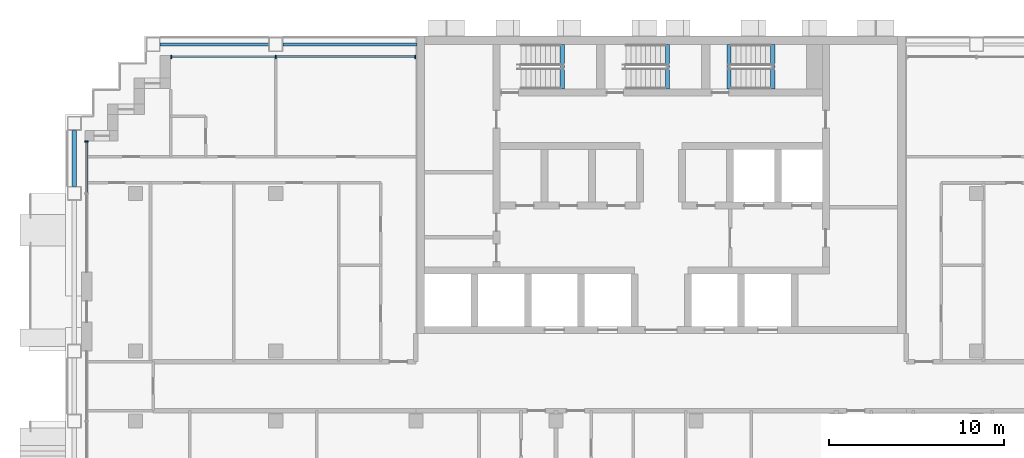
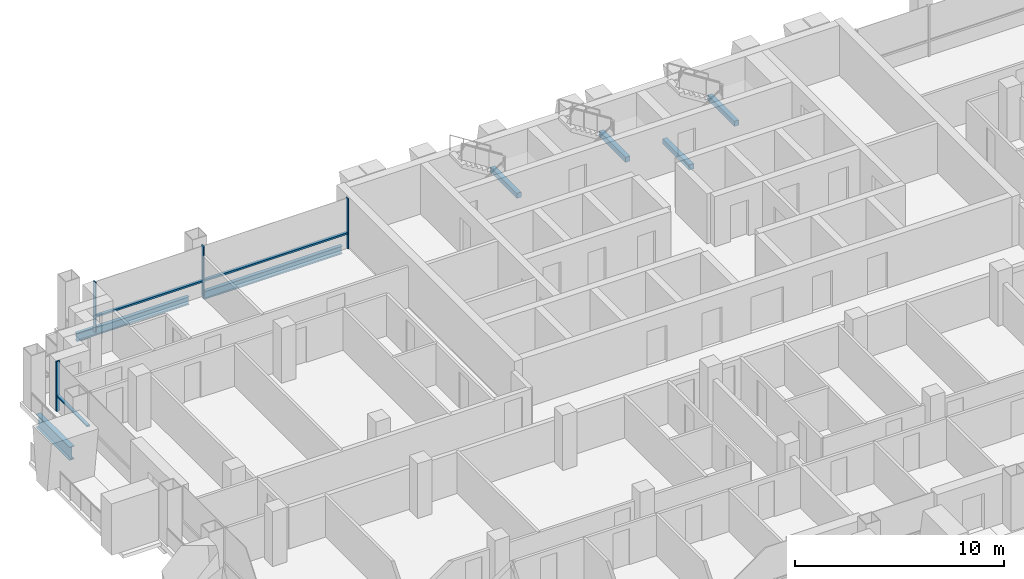
# One storey, part 4 of 16: 7 beams, 7 members, 2 elements without a shape of their own.
"""IFC4 building model written with IfcOpenShell, lengths in metres."""

from ifc_helpers import new_model, si_unit, direction, frame, origin, origin_2d, place, context, subcontext, project, spatial, rectangle, i_section, extrude, material, material_profile, profile_set, type_object, element, aggregate, save


model = new_model("IFC4")

# Units and contexts
model_context = context("Model", 3, precision=1e-05, world=origin(), true_north=direction((0.0, 1.0)))
body_context = subcontext(model_context, "Body", "Model", "MODEL_VIEW")
ifc_project = project(units=[si_unit("LENGTHUNIT", "METRE"), si_unit("AREAUNIT", "SQUARE_METRE"), si_unit("VOLUMEUNIT", "CUBIC_METRE"), si_unit("PLANEANGLEUNIT", "RADIAN"), si_unit("MASSUNIT", "GRAM", prefix="KILO")], contexts=[model_context])

# Site, building, storey
site_placement = place(None, origin())
site = spatial("IfcSite", under=ifc_project, at=site_placement, CompositionType="ELEMENT")
building_placement = place(site_placement, origin())
building = spatial("IfcBuilding", under=site, at=building_placement, Name="Vidyagriha Tower", CompositionType="ELEMENT")
storey_placement = place(building_placement, frame((0.0, 0.0, 132.60009765625)))
storey = spatial("IfcBuildingStorey", under=building, at=storey_placement, Name="L34", CompositionType="ELEMENT", Elevation=132.60009765625)

# Beams
ifc_material_1 = material(Name="Steel ASTM A992 Grade 50", Category="steel")
ifc_material_profile_1 = material_profile(ifc_material_1, i_section(OverallWidth=0.2666015625, OverallDepth=0.76953125, WebThickness=0.015625, FlangeThickness=0.025390625, at=origin_2d()), Name="W30X132")
ifc_profile_set_1 = profile_set([ifc_material_profile_1], Name="Steel ASTM A992 Grade 50")
beam_type_1 = type_object("IfcBeamType", Name="Cantilever edge beam W30X132", PredefinedType="SPANDREL", material=ifc_profile_set_1)
beam_1_placement = place(storey_placement, frame((-33.5, 11.39990234375, -0.664794921875), z_axis=(0.0, 1.0, 0.0), x_axis=(-1.0, 0.0, 0.0)))
element("IfcBeam", 1, at=beam_1_placement, inside=storey, type_object=beam_type_1, Name="st-beam-L34-W13", PredefinedType="SPANDREL", context=body_context, shape_type="SweptSolid", body=[
    extrude(i_section(OverallWidth=0.2666015625, OverallDepth=0.76953125, WebThickness=0.015625, FlangeThickness=0.025390625, at=origin_2d()), origin(), (0.0, 0.0, 1.0), 3.2001953125),
])
ifc_material_2 = material(Name="Steel ASTM A992 Grade 50", Category="steel")
ifc_material_profile_2 = material_profile(ifc_material_2, i_section(OverallWidth=0.19189453125, OverallDepth=0.46240234375, WebThickness=0.010498046875, FlangeThickness=0.017578125, at=origin_2d()), Name="W18X60")
ifc_profile_set_2 = profile_set([ifc_material_profile_2], Name="Steel ASTM A992 Grade 50")
beam_type_2 = type_object("IfcBeamType", Name="Edge beam W18X60", PredefinedType="SPANDREL", material=ifc_profile_set_2)
beam_2_placement = place(storey_placement, frame((-28.60009765625, 19.5, -0.51123046875), z_axis=(1.0, 0.0, 0.0), x_axis=(0.0, 1.0, 0.0)))
element("IfcBeam", 2, at=beam_2_placement, inside=storey, type_object=beam_type_2, Name="st-beam-L34-NW19", PredefinedType="SPANDREL", context=body_context, shape_type="SweptSolid", body=[
    extrude(i_section(OverallWidth=0.19189453125, OverallDepth=0.46240234375, WebThickness=0.010498046875, FlangeThickness=0.017578125, at=origin_2d()), origin(), (0.0, 0.0, 1.0), 6.2001953125),
])
beam_3_placement = place(storey_placement, frame((-21.60009765625, 19.5, -0.51123046875), z_axis=(1.0, 0.0, 0.0), x_axis=(0.0, 1.0, 0.0)))
element("IfcBeam", 3, at=beam_3_placement, inside=storey, type_object=beam_type_2, Name="st-beam-L34-NC22", PredefinedType="SPANDREL", context=body_context, shape_type="SweptSolid", body=[
    extrude(i_section(OverallWidth=0.19189453125, OverallDepth=0.46240234375, WebThickness=0.010498046875, FlangeThickness=0.017578125, at=origin_2d()), origin(), (0.0, 0.0, 1.0), 7.650146484375),
])

# Curtain wall, members
ifc_material_3 = material(Name="Aluminium and glass curtain wall", Category="aluminium")
curtain_wall_type = type_object("IfcCurtainWallType", Name="Dwelling skin unitised curtain wall", PredefinedType="USERDEFINED", material=ifc_material_3)
curtain_wall_1_placement = place(storey_placement, origin())
curtain_wall_1 = element("IfcCurtainWall", 4, at=curtain_wall_1_placement, inside=storey, type_object=curtain_wall_type, Name="CW1 dwelling skin", ObjectType="UNITISED", PredefinedType="USERDEFINED")
ifc_material_4 = material(Name="Aluminium black anodised", Category="aluminium")
ifc_material_profile_3 = material_profile(ifc_material_4, rectangle(XDim=0.199951171875, YDim=0.070068359375, at=origin_2d()), Name="Mullion 70x200 black aluminium")
ifc_profile_set_3 = profile_set([ifc_material_profile_3], Name="Aluminium black anodised")
member_type_1 = type_object("IfcMemberType", Name="Mullion 70x200 black aluminium", PredefinedType="MULLION", material=ifc_profile_set_3)
member_1_placement = place(storey_placement, frame((-14.034912109375, 18.800048828125, 0.0), z_axis=(0.0, 0.0, 1.0), x_axis=(0.0, -1.0, 0.0)))
member_1 = element("IfcMember", 5, at=member_1_placement, type_object=member_type_1, Name="CW1 mullion 1", PredefinedType="MULLION", context=body_context, shape_type="SweptSolid", body=[
    extrude(rectangle(XDim=0.199951171875, YDim=0.070068359375, at=origin_2d()), origin(), (0.0, 0.0, 1.0), 2.919921875),
])
member_2_placement = place(storey_placement, frame((-22.0, 18.800048828125, 0.0), z_axis=(0.0, 0.0, 1.0), x_axis=(0.0, -1.0, 0.0)))
member_2 = element("IfcMember", 6, at=member_2_placement, type_object=member_type_1, Name="CW1 mullion 2", PredefinedType="MULLION", context=body_context, shape_type="SweptSolid", body=[
    extrude(rectangle(XDim=0.199951171875, YDim=0.070068359375, at=origin_2d()), origin(), (0.0, 0.0, 1.0), 2.919921875),
])
member_3_placement = place(storey_placement, frame((-27.965087890625, 18.800048828125, 0.0), z_axis=(0.0, 0.0, 1.0), x_axis=(0.0, -1.0, 0.0)))
member_3 = element("IfcMember", 7, at=member_3_placement, type_object=member_type_1, Name="CW1 mullion 3", PredefinedType="MULLION", context=body_context, shape_type="SweptSolid", body=[
    extrude(rectangle(XDim=0.199951171875, YDim=0.070068359375, at=origin_2d()), origin(), (0.0, 0.0, 1.0), 2.919921875),
])

# Curtain wall, member
curtain_wall_2_placement = place(storey_placement, origin())
curtain_wall_2 = element("IfcCurtainWall", 8, at=curtain_wall_2_placement, inside=storey, type_object=curtain_wall_type, Name="CW1 dwelling skin", ObjectType="UNITISED", PredefinedType="USERDEFINED")
member_4_placement = place(storey_placement, frame((-32.800048828125, 13.965087890625, 0.0)))
member_4 = element("IfcMember", 9, at=member_4_placement, type_object=member_type_1, Name="CW1 mullion 1", PredefinedType="MULLION", context=body_context, shape_type="SweptSolid", body=[
    extrude(rectangle(XDim=0.199951171875, YDim=0.070068359375, at=origin_2d()), origin(), (0.0, 0.0, 1.0), 2.919921875),
])

# Beams
ifc_material_5 = material(Name="Concrete C40/50", Category="concrete")
ifc_material_profile_4 = material_profile(ifc_material_5, rectangle(XDim=0.25, YDim=0.300048828125, at=origin_2d()), Name="Stair landing bearing beam 250x300")
ifc_profile_set_4 = profile_set([ifc_material_profile_4], Name="Concrete C40/50")
beam_type_3 = type_object("IfcBeamType", Name="Stair landing bearing beam 250x300", PredefinedType="BEAM", material=ifc_profile_set_4)
for number, where, z_axis, x_axis, name in (
    (10, (3.875, 16.949951171875, -0.43017578125), (0.0, 1.0, 0.0), (-1.0, 0.0, 0.0), "ST3 floor landing bearing beam L34"),
    (11, (-5.635009765625, 16.949951171875, 1.25), (0.0, 1.0, 0.0), (-1.0, 0.0, 0.0), "ST1 landing bearing beam L34"),
    (12, (0.364990234375, 16.949951171875, 1.25), (0.0, 1.0, 0.0), (-1.0, 0.0, 0.0), "ST2 landing bearing beam L34"),
    (13, (6.364990234375, 16.949951171875, 1.25), (0.0, 1.0, 0.0), (-1.0, 0.0, 0.0), "ST3 landing bearing beam L34"),
):
    element("IfcBeam", number, at=place(storey_placement, frame(where, z_axis=z_axis, x_axis=x_axis)), inside=storey, type_object=beam_type_3, Name=name, PredefinedType="BEAM", context=body_context, shape_type="SweptSolid", body=[
        extrude(rectangle(XDim=0.25, YDim=0.300048828125, at=origin_2d()), origin(), (0.0, 0.0, 1.0), 2.550048828125),
    ])

# Member
ifc_material_6 = material(Name="Aluminium black anodised", Category="aluminium")
ifc_material_profile_5 = material_profile(ifc_material_6, rectangle(XDim=0.159912109375, YDim=0.10009765625, at=origin_2d()), Name="Transom 100x160 black aluminium")
ifc_profile_set_5 = profile_set([ifc_material_profile_5], Name="Aluminium black anodised")
member_type_2 = type_object("IfcMemberType", Name="Transom 100x160 black aluminium", PredefinedType="USERDEFINED", material=ifc_profile_set_5)
member_5_placement = place(storey_placement, frame((-14.070068359375, 18.800048828125, 0.89990234375), z_axis=(-1.0, 0.0, 0.0), x_axis=(0.0, -1.0, 0.0)))
member_5 = element("IfcMember", 14, at=member_5_placement, type_object=member_type_2, Name="CW1 transom 1.1", ObjectType="TRANSOM", PredefinedType="USERDEFINED", context=body_context, shape_type="SweptSolid", body=[
    extrude(rectangle(XDim=0.159912109375, YDim=0.10009765625, at=origin_2d()), origin(), (0.0, 0.0, 1.0), 7.89501953125),
])

member_6_placement = place(storey_placement, frame((-22.034912109375, 18.800048828125, 0.89990234375), z_axis=(-1.0, 0.0, 0.0), x_axis=(0.0, -1.0, 0.0)))
member_6 = element("IfcMember", 15, at=member_6_placement, type_object=member_type_2, Name="CW1 transom 2.1", ObjectType="TRANSOM", PredefinedType="USERDEFINED", context=body_context, shape_type="SweptSolid", body=[
    extrude(rectangle(XDim=0.159912109375, YDim=0.10009765625, at=origin_2d()), origin(), (0.0, 0.0, 1.0), 5.89501953125),
])

aggregate(curtain_wall_1, [member_1, member_2, member_3, member_5, member_6])

member_7_placement = place(storey_placement, frame((-32.800048828125, 13.929931640625, 0.89990234375), z_axis=(0.0, -1.0, 0.0), x_axis=(1.0, 0.0, 0.0)))
member_7 = element("IfcMember", 16, at=member_7_placement, type_object=member_type_2, Name="CW1 transom 1.1", ObjectType="TRANSOM", PredefinedType="USERDEFINED", context=body_context, shape_type="SweptSolid", body=[
    extrude(rectangle(XDim=0.159912109375, YDim=0.10009765625, at=origin_2d()), origin(), (0.0, 0.0, 1.0), 2.89501953125),
])

aggregate(curtain_wall_2, [member_4, member_7])

save(model, "model.ifc")
